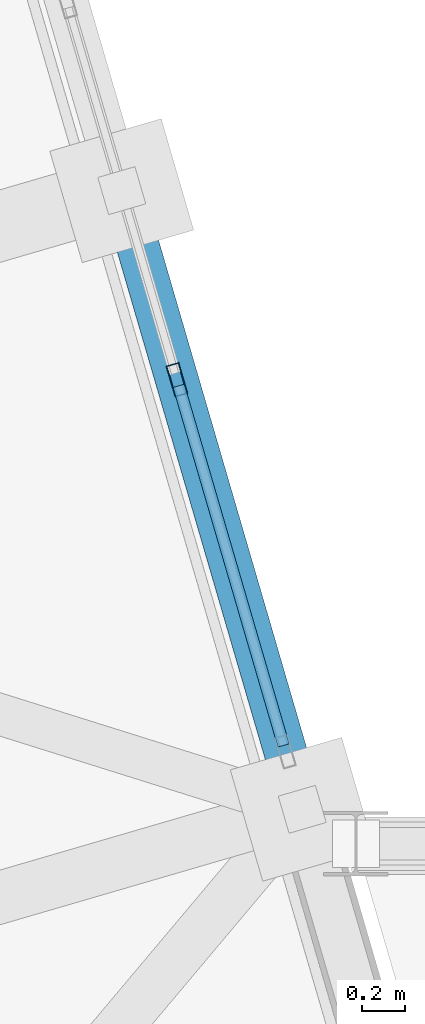
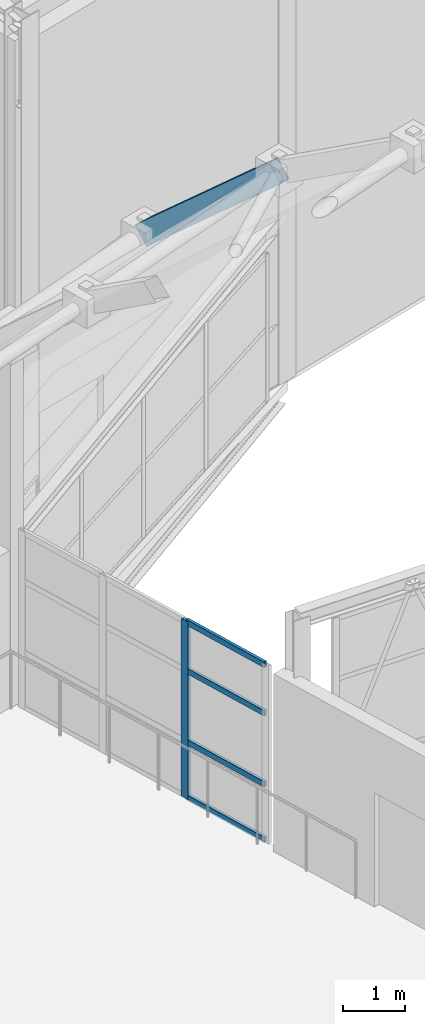
# One storey, part 125 of 248: 5 members, 1 beam, 1 element without a shape of its own.
"""IFC4 building model written with IfcOpenShell, lengths in metres."""

from ifc_helpers import new_model, si_unit, direction, frame, origin, origin_2d, place, context, subcontext, project, spatial, hollow_rectangle, extrude, material, layer, layer_set, material_profile, profile_set, type_object, element, aggregate, save


model = new_model("IFC4")

# Units and contexts
model_context = context("Model", 3, precision=1e-05, world=origin(), true_north=direction((0.0, 1.0)))
body_context = subcontext(model_context, "Body", "Model", "MODEL_VIEW")
ifc_project = project(units=[si_unit("LENGTHUNIT", "METRE"), si_unit("AREAUNIT", "SQUARE_METRE"), si_unit("VOLUMEUNIT", "CUBIC_METRE"), si_unit("PLANEANGLEUNIT", "RADIAN"), si_unit("MASSUNIT", "GRAM", prefix="KILO")], contexts=[model_context])

# Site, building, storey
site_placement = place(None, origin())
site = spatial("IfcSite", under=ifc_project, at=site_placement, CompositionType="ELEMENT")
building_placement = place(site_placement, origin())
building = spatial("IfcBuilding", under=site, at=building_placement, Name="Canggui Botanical Conservatory", CompositionType="ELEMENT")
storey_placement = place(building_placement, frame((0.0, 0.0, 5.39990234375)))
storey = spatial("IfcBuildingStorey", under=building, at=storey_placement, Name="L02", CompositionType="ELEMENT", Elevation=5.39990234375)

# Beam
ifc_material_1 = material(Name="Steel Q355C", Category="steel")
ifc_material_profile_1 = material_profile(ifc_material_1, hollow_rectangle(XDim=0.199951171875, YDim=0.39990234375, WallThickness=0.011962890625, at=origin_2d()), Name="RHS 200x400x12")
ifc_profile_set_1 = profile_set([ifc_material_profile_1], Name="Steel Q355C")
beam_type = type_object("IfcBeamType", Name="BM-GJ04", PredefinedType="BEAM", material=ifc_profile_set_1)
beam_placement = place(storey_placement, frame((65.1201171875, 80.159912109375, 13.343994140625), z_axis=(-0.208553195479, 0.714996235706, -0.66729749556), x_axis=(-0.959995442804, -0.2800156242, 0.0)))
element("IfcBeam", 1, at=beam_placement, inside=storey, type_object=beam_type, Name="Conservatory Stepped-Arch Rib GJ-15 Segment 9", PredefinedType="BEAM", context=body_context, shape_type="SweptSolid", body=[
    extrude(hollow_rectangle(XDim=0.199951171875, YDim=0.39990234375, WallThickness=0.011962890625, at=origin_2d()), origin(), (0.0, 0.0, 1.0), 4.028076171875),
])

# Curtain wall, members
ifc_material_2 = material(Name="Thermally Broken Aluminium", Category="aluminium")
ifc_layer = layer(ifc_material_2, 0.14990234375, Name="Thermally Broken Aluminium", Category="aluminium")
ifc_layer_set = layer_set([ifc_layer], Name="Thermally Broken Aluminium")
curtain_wall_type = type_object("IfcCurtainWallType", Name="CW-UNIT-C", PredefinedType="USERDEFINED", material=ifc_layer_set)
curtain_wall_placement = place(storey_placement, origin())
curtain_wall = element("IfcCurtainWall", 2, at=curtain_wall_placement, inside=storey, type_object=curtain_wall_type, Name="Facade Curtain Wall CW-CONS-GABLE-L02-N-05", ObjectType="UNITISED CURTAIN WALL", PredefinedType="USERDEFINED")
ifc_material_profile_2 = material_profile(ifc_material_2, hollow_rectangle(XDim=0.06005859375, YDim=0.14990234375, WallThickness=0.00341796875, at=origin_2d()), Name="CWM 60x150x3.5")
ifc_profile_set_2 = profile_set([ifc_material_profile_2], Name="Thermally Broken Aluminium")
member_type_1 = type_object("IfcMemberType", Name="CWM-03", PredefinedType="MULLION", material=ifc_profile_set_2)
member_1_placement = place(storey_placement, frame((64.53662109375, 82.159912109375, 0.0), z_axis=(0.0, 0.0, 1.0), x_axis=(-0.960000000002, -0.279999999995, 0.0)))
member_1 = element("IfcMember", 3, at=member_1_placement, type_object=member_type_1, Name="CW-03 mullion 2", PredefinedType="MULLION", context=body_context, shape_type="SweptSolid", body=[
    extrude(hollow_rectangle(XDim=0.06005859375, YDim=0.14990234375, WallThickness=0.00341796875, at=origin_2d()), origin(), (0.0, 0.0, 1.0), 3.5),
])
ifc_material_profile_3 = material_profile(ifc_material_2, hollow_rectangle(XDim=0.054931640625, YDim=0.110107421875, WallThickness=0.0029296875, at=origin_2d()), Name="CWT 55x110x3")
ifc_profile_set_3 = profile_set([ifc_material_profile_3], Name="Thermally Broken Aluminium")
member_type_2 = type_object("IfcMemberType", Name="CWT-03", PredefinedType="USERDEFINED", material=ifc_profile_set_3)
member_2_placement = place(storey_placement, frame((65.033203125, 80.45751953125, 0.027587890625), z_axis=(-0.279951599808, 0.960014115399, 0.0), x_axis=(-0.960014115399, -0.279951599808, 0.0)))
member_2 = element("IfcMember", 4, at=member_2_placement, type_object=member_type_2, Name="CW-03 transom 1.1", ObjectType="TRANSOM", PredefinedType="USERDEFINED", context=body_context, shape_type="SweptSolid", body=[
    extrude(hollow_rectangle(XDim=0.054931640625, YDim=0.110107421875, WallThickness=0.0029296875, at=origin_2d()), origin(), (0.0, 0.0, 1.0), 1.743408203125),
])
member_3_placement = place(storey_placement, frame((65.033203125, 80.45751953125, 1.1201171875), z_axis=(-0.279951599808, 0.960014115399, 0.0), x_axis=(-0.960014115399, -0.279951599808, 0.0)))
member_3 = element("IfcMember", 5, at=member_3_placement, type_object=member_type_2, Name="CW-03 transom 1.2", ObjectType="TRANSOM", PredefinedType="USERDEFINED", context=body_context, shape_type="SweptSolid", body=[
    extrude(hollow_rectangle(XDim=0.054931640625, YDim=0.110107421875, WallThickness=0.0029296875, at=origin_2d()), origin(), (0.0, 0.0, 1.0), 1.743408203125),
])
member_4_placement = place(storey_placement, frame((65.033203125, 80.45751953125, 2.52001953125), z_axis=(-0.279951599808, 0.960014115399, 0.0), x_axis=(-0.960014115399, -0.279951599808, 0.0)))
member_4 = element("IfcMember", 6, at=member_4_placement, type_object=member_type_2, Name="CW-03 transom 1.3", ObjectType="TRANSOM", PredefinedType="USERDEFINED", context=body_context, shape_type="SweptSolid", body=[
    extrude(hollow_rectangle(XDim=0.054931640625, YDim=0.110107421875, WallThickness=0.0029296875, at=origin_2d()), origin(), (0.0, 0.0, 1.0), 1.743408203125),
])
member_5_placement = place(storey_placement, frame((65.033203125, 80.45751953125, 3.47265625), z_axis=(-0.279951599808, 0.960014115399, 0.0), x_axis=(-0.960014115399, -0.279951599808, 0.0)))
member_5 = element("IfcMember", 7, at=member_5_placement, type_object=member_type_2, Name="CW-03 transom 1.4", ObjectType="TRANSOM", PredefinedType="USERDEFINED", context=body_context, shape_type="SweptSolid", body=[
    extrude(hollow_rectangle(XDim=0.054931640625, YDim=0.110107421875, WallThickness=0.0029296875, at=origin_2d()), origin(), (0.0, 0.0, 1.0), 1.743408203125),
])
aggregate(curtain_wall, [member_1, member_2, member_3, member_4, member_5])

save(model, "model.ifc")
